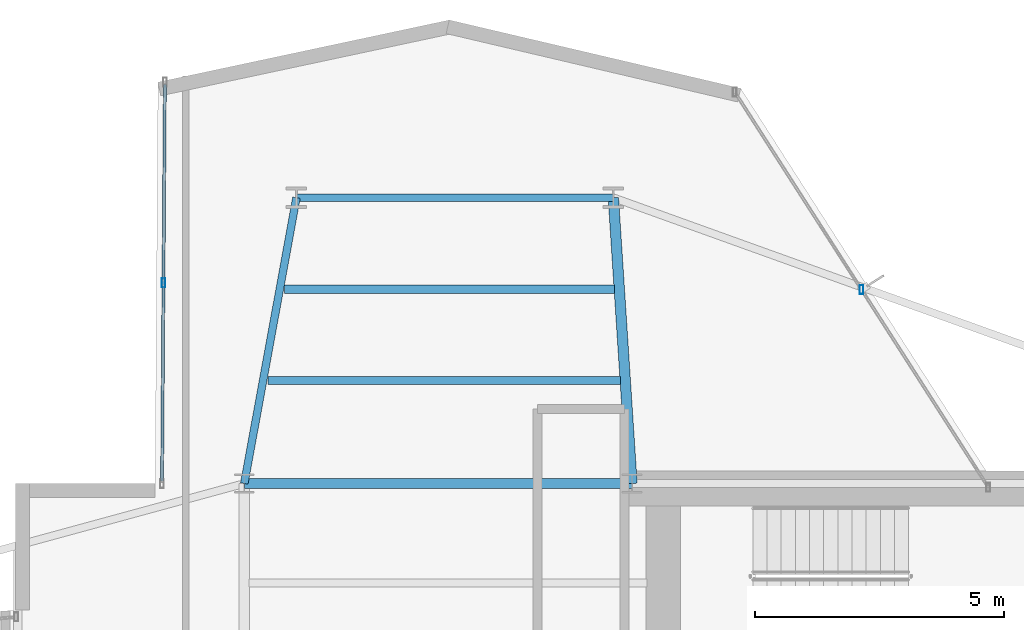
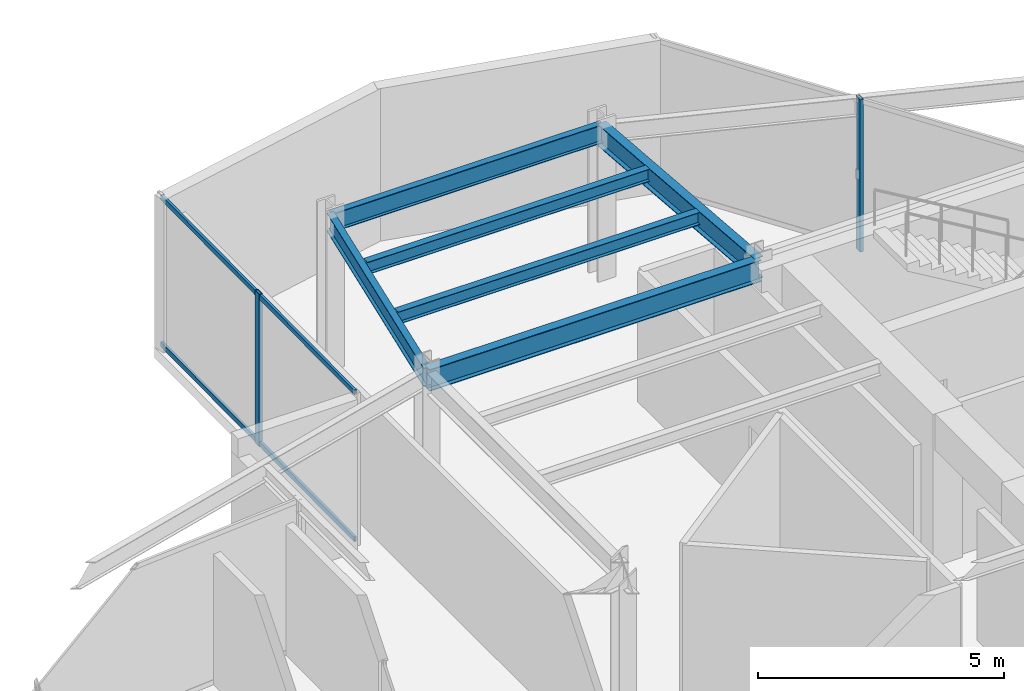
# One storey, part 12 of 23: 6 beams, 4 members, 2 elements without a shape of their own.
"""IFC4 building model written with IfcOpenShell, lengths in metres."""

from ifc_helpers import new_model, si_unit, direction, frame, origin, origin_2d, place, context, subcontext, project, spatial, hollow_rectangle, i_section, extrude, material, layer, layer_set, material_profile, profile_set, type_object, element, aggregate, save


model = new_model("IFC4")

# Units and contexts
model_context = context("Model", 3, precision=1e-05, world=origin(), true_north=direction((0.0, 1.0)))
body_context = subcontext(model_context, "Body", "Model", "MODEL_VIEW")
ifc_project = project(units=[si_unit("LENGTHUNIT", "METRE"), si_unit("AREAUNIT", "SQUARE_METRE"), si_unit("VOLUMEUNIT", "CUBIC_METRE"), si_unit("PLANEANGLEUNIT", "RADIAN"), si_unit("MASSUNIT", "GRAM", prefix="KILO")], contexts=[model_context])

# Site, building, storey
site_placement = place(None, origin())
site = spatial("IfcSite", under=ifc_project, at=site_placement, CompositionType="ELEMENT")
building_placement = place(site_placement, origin())
building = spatial("IfcBuilding", under=site, at=building_placement, Name="Veymaron Broadcast Tower", CompositionType="ELEMENT")
storey_placement = place(building_placement, frame((0.0, 0.0, 191.85009765625)))
storey = spatial("IfcBuildingStorey", under=building, at=storey_placement, Name="L44", CompositionType="ELEMENT", Elevation=191.85009765625)

# Beams
ifc_material_1 = material(Name="Structural steel ASTM A992 Gr 50", Category="steel")
ifc_material_profile_1 = material_profile(ifc_material_1, i_section(OverallWidth=0.2099609375, OverallDepth=0.537109375, WebThickness=0.010986328125, FlangeThickness=0.017333984375, at=origin_2d()), Name="W530X101")
ifc_profile_set_1 = profile_set([ifc_material_profile_1], Name="Structural steel ASTM A992 Gr 50")
beam_type_1 = type_object("IfcBeamType", Name="BM-FG3", PredefinedType="BEAM", material=ifc_profile_set_1)
beam_1_placement = place(storey_placement, frame((31.199951171875, 32.0, 3.521484375), z_axis=(1.0, 0.0, 0.0), x_axis=(0.0, 1.0, 0.0)))
element("IfcBeam", 1, at=beam_1_placement, inside=storey, type_object=beam_type_1, Name="L44 primary structural floor girder", PredefinedType="BEAM", context=body_context, shape_type="SweptSolid", body=[
    extrude(i_section(OverallWidth=0.2099609375, OverallDepth=0.537109375, WebThickness=0.010986328125, FlangeThickness=0.017333984375, at=origin_2d()), origin(), (0.0, 0.0, 1.0), 7.800048828125),
])
beam_2_placement = place(storey_placement, frame((39.0, 32.0, 3.521484375), z_axis=(-0.065079137346, 0.997880105966, 0.0), x_axis=(-0.997880105966, -0.065079137346, 0.0)))
element("IfcBeam", 2, at=beam_2_placement, inside=storey, type_object=beam_type_1, Name="L44 primary structural floor girder", PredefinedType="BEAM", context=body_context, shape_type="SweptSolid", body=[
    extrude(i_section(OverallWidth=0.2099609375, OverallDepth=0.537109375, WebThickness=0.010986328125, FlangeThickness=0.017333984375, at=origin_2d()), origin(), (0.0, 0.0, 1.0), 5.76220703125),
])
ifc_material_profile_2 = material_profile(ifc_material_1, i_section(OverallWidth=0.1650390625, OverallDepth=0.31005859375, WebThickness=0.005859375, FlangeThickness=0.009765625, at=origin_2d()), Name="W310X39")
ifc_profile_set_2 = profile_set([ifc_material_profile_2], Name="Structural steel ASTM A992 Gr 50")
beam_type_2 = type_object("IfcBeamType", Name="BM-JS3", PredefinedType="JOIST", material=ifc_profile_set_2)
beam_3_placement = place(storey_placement, frame((31.677978515625, 34.070068359375, 3.635009765625), z_axis=(1.0, 0.0, 0.0), x_axis=(0.0, 1.0, 0.0)))
element("IfcBeam", 3, at=beam_3_placement, inside=storey, type_object=beam_type_2, Name="L44 Arm-B secondary joist 1", PredefinedType="JOIST", context=body_context, shape_type="SweptSolid", body=[
    extrude(i_section(OverallWidth=0.1650390625, OverallDepth=0.31005859375, WebThickness=0.005859375, FlangeThickness=0.009765625, at=origin_2d()), origin(), (0.0, 0.0, 1.0), 7.0869140625),
])
beam_4_placement = place(storey_placement, frame((32.013916015625, 35.909912109375, 3.635009765625), z_axis=(1.0, 0.0, 0.0), x_axis=(0.0, 1.0, 0.0)))
element("IfcBeam", 4, at=beam_4_placement, inside=storey, type_object=beam_type_2, Name="L44 Arm-B secondary joist 2", PredefinedType="JOIST", context=body_context, shape_type="SweptSolid", body=[
    extrude(i_section(OverallWidth=0.1650390625, OverallDepth=0.31005859375, WebThickness=0.005859375, FlangeThickness=0.009765625, at=origin_2d()), origin(), (0.0, 0.0, 1.0), 6.631103515625),
])
ifc_material_profile_3 = material_profile(ifc_material_1, i_section(OverallWidth=0.154052734375, OverallDepth=0.458984375, WebThickness=0.009033203125, FlangeThickness=0.015380859375, at=origin_2d()), Name="W460X68")
ifc_profile_set_3 = profile_set([ifc_material_profile_3], Name="Structural steel ASTM A992 Gr 50")
beam_type_3 = type_object("IfcBeamType", Name="BM-SP2", PredefinedType="SPANDREL", material=ifc_profile_set_3)
beam_5_placement = place(storey_placement, frame((31.199951171875, 32.0, 3.560302734375), z_axis=(0.179646239371, 0.983731278693, 0.0), x_axis=(-0.983731278693, 0.179646239371, 0.0)))
element("IfcBeam", 5, at=beam_5_placement, inside=storey, type_object=beam_type_3, Name="L44 primary structural floor girder", PredefinedType="SPANDREL", context=body_context, shape_type="SweptSolid", body=[
    extrude(i_section(OverallWidth=0.154052734375, OverallDepth=0.458984375, WebThickness=0.009033203125, FlangeThickness=0.015380859375, at=origin_2d()), origin(), (0.0, 0.0, 1.0), 5.844970703125),
])
beam_6_placement = place(storey_placement, frame((32.25, 37.75, 3.560302734375), z_axis=(1.0, 0.0, 0.0), x_axis=(0.0, 1.0, 0.0)))
element("IfcBeam", 6, at=beam_6_placement, inside=storey, type_object=beam_type_3, Name="L44 primary structural floor girder", PredefinedType="SPANDREL", context=body_context, shape_type="SweptSolid", body=[
    extrude(i_section(OverallWidth=0.154052734375, OverallDepth=0.458984375, WebThickness=0.009033203125, FlangeThickness=0.015380859375, at=origin_2d()), origin(), (0.0, 0.0, 1.0), 6.375),
])

# Curtain wall, member
ifc_material_2 = material(Name="Anodised aluminium AA 6063-T6 and laminated low-E dark glass", Category="aluminium")
ifc_layer = layer(ifc_material_2, 0.179931640625)
ifc_layer_set = layer_set([ifc_layer], Name="Anodised aluminium AA 6063-T6 and laminated low-E dark glass")
curtain_wall_type = type_object("IfcCurtainWallType", Name="CW-SYS-05", PredefinedType="NOTDEFINED", material=ifc_layer_set)
curtain_wall_1_placement = place(storey_placement, origin())
curtain_wall_1 = element("IfcCurtainWall", 7, at=curtain_wall_1_placement, inside=storey, type_object=curtain_wall_type, Name="L44 dark-glass curtain wall CW-L44-E5-1", PredefinedType="NOTDEFINED")
ifc_material_3 = material(Name="Anodised aluminium AA 6063-T6", Category="aluminium")
ifc_material_profile_4 = material_profile(ifc_material_3, hollow_rectangle(XDim=0.074951171875, YDim=0.179931640625, WallThickness=0.0048828125, at=origin_2d()), Name="AL180X75X5")
ifc_profile_set_4 = profile_set([ifc_material_profile_4], Name="Anodised aluminium AA 6063-T6")
member_type_1 = type_object("IfcMemberType", Name="CW-MUL-02", PredefinedType="MULLION", material=ifc_profile_set_4)
member_1_placement = place(storey_placement, frame((43.618896484375, 35.8994140625, 0.0), z_axis=(0.0, 0.0, 1.0), x_axis=(1.0, 0.0, 0.0)))
member_1 = element("IfcMember", 8, at=member_1_placement, type_object=member_type_1, Name="CW-L44-E5-1 mullion 1", PredefinedType="MULLION", context=body_context, shape_type="SweptSolid", body=[
    extrude(hollow_rectangle(XDim=0.074951171875, YDim=0.179931640625, WallThickness=0.0048828125, at=origin_2d()), origin(), (0.0, 0.0, 1.0), 3.789794921875),
])
aggregate(curtain_wall_1, [member_1])

# Curtain wall, members
curtain_wall_2_placement = place(storey_placement, origin())
curtain_wall_2 = element("IfcCurtainWall", 9, at=curtain_wall_2_placement, inside=storey, type_object=curtain_wall_type, Name="L44 dark-glass curtain wall CW-L44-E8-1", PredefinedType="NOTDEFINED")
member_2_placement = place(storey_placement, frame((29.574462890625, 36.03662109375, 0.0), z_axis=(0.0, 0.0, 1.0), x_axis=(1.0, 0.0, 0.0)))
member_2 = element("IfcMember", 10, at=member_2_placement, type_object=member_type_1, Name="CW-L44-E8-1 mullion 1", PredefinedType="MULLION", context=body_context, shape_type="SweptSolid", body=[
    extrude(hollow_rectangle(XDim=0.074951171875, YDim=0.179931640625, WallThickness=0.0048828125, at=origin_2d()), origin(), (0.0, 0.0, 1.0), 3.789794921875),
])
ifc_material_profile_5 = material_profile(ifc_material_3, hollow_rectangle(XDim=0.06005859375, YDim=0.1201171875, WallThickness=0.00390625, at=origin_2d()), Name="AL120X60X4")
ifc_profile_set_5 = profile_set([ifc_material_profile_5], Name="Anodised aluminium AA 6063-T6")
member_type_2 = type_object("IfcMemberType", Name="CW-TRN-02", PredefinedType="USERDEFINED", material=ifc_profile_set_5)
member_3_placement = place(storey_placement, frame((29.602783203125, 40.02392578125, 0.06982421875), z_axis=(-0.007102224053, -0.999974778889, 0.0), x_axis=(0.999974778889, -0.007102224053, 0.0)))
member_3 = element("IfcMember", 11, at=member_3_placement, type_object=member_type_2, Name="CW-L44-E8-1 transom B", ObjectType="TRANSOM", PredefinedType="USERDEFINED", context=body_context, shape_type="SweptSolid", body=[
    extrude(hollow_rectangle(XDim=0.06005859375, YDim=0.1201171875, WallThickness=0.00390625, at=origin_2d()), origin(), (0.0, 0.0, 1.0), 7.97509765625),
])
member_4_placement = place(storey_placement, frame((29.602783203125, 40.02392578125, 3.719970703125), z_axis=(-0.007102224053, -0.999974778889, 0.0), x_axis=(0.999974778889, -0.007102224053, 0.0)))
member_4 = element("IfcMember", 12, at=member_4_placement, type_object=member_type_2, Name="CW-L44-E8-1 transom T", ObjectType="TRANSOM", PredefinedType="USERDEFINED", context=body_context, shape_type="SweptSolid", body=[
    extrude(hollow_rectangle(XDim=0.06005859375, YDim=0.1201171875, WallThickness=0.00390625, at=origin_2d()), origin(), (0.0, 0.0, 1.0), 7.97509765625),
])
aggregate(curtain_wall_2, [member_2, member_3, member_4])

save(model, "model.ifc")
